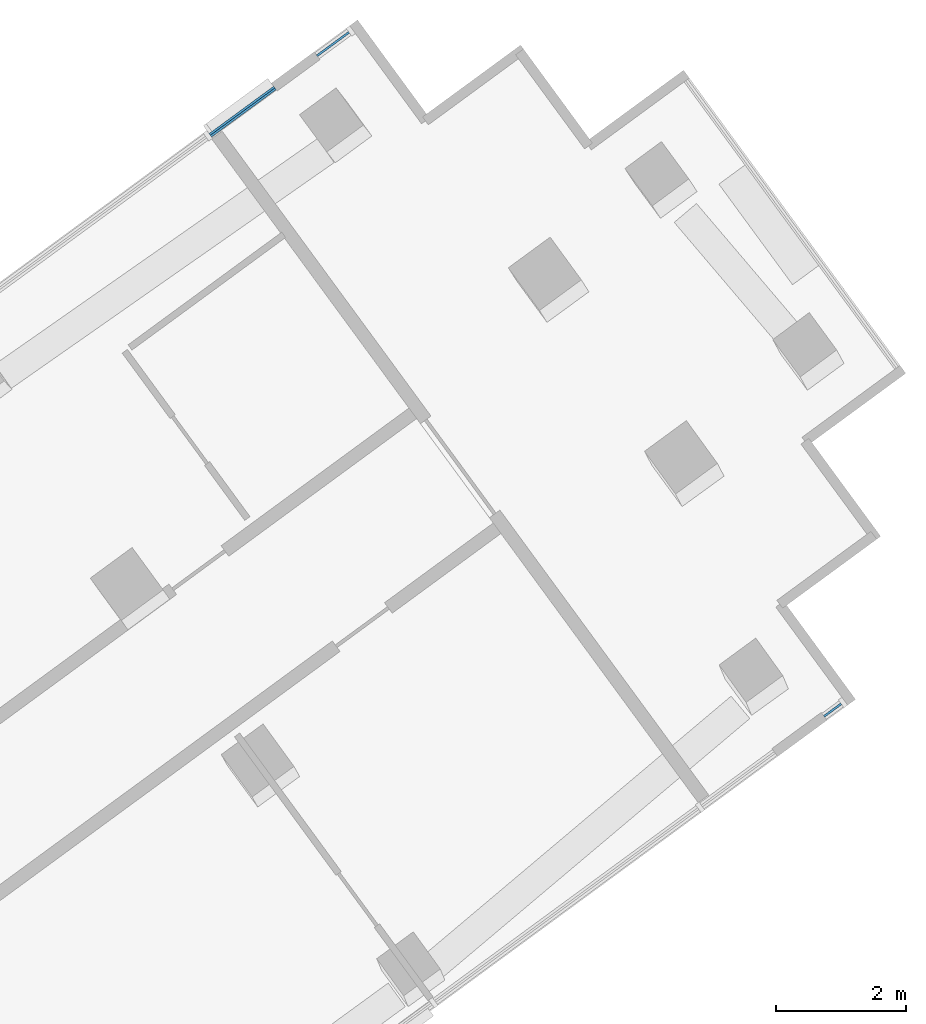
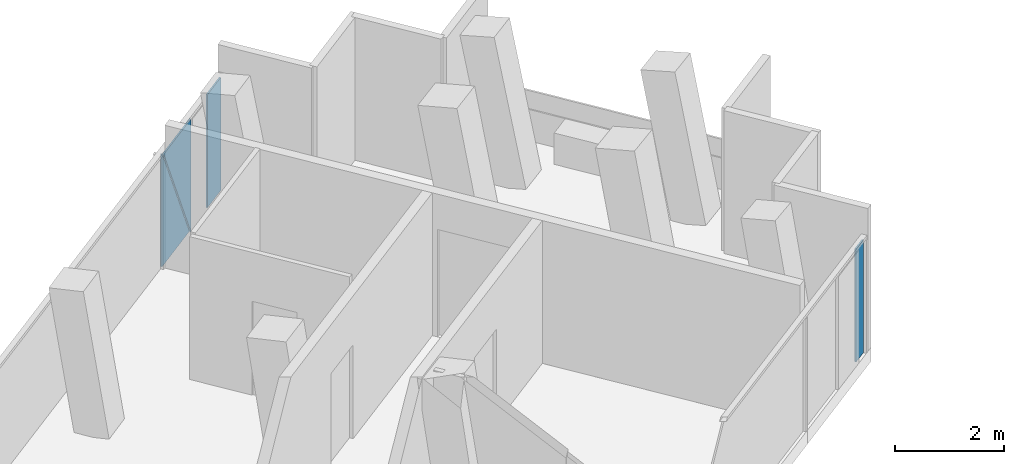
# One storey, part 15 of 24: 4 plates, 2 elements without a shape of their own.
"""IFC4 building model written with IfcOpenShell, lengths in metres."""

import ifcopenshell
import ifcopenshell.guid

model = None  # the IFC model being written
_history = None  # IfcOwnerHistory: only IFC2X3 demands one
_inside = {}  # id of a spatial element -> (the spatial element, [elements in it])
_under = {}  # id of a project, library or spatial element -> (it, [spatial elements below it])
_declared = {}  # id of a project -> (the project, [libraries it declares])
_typed = {}  # id of a type object -> (the type object, [elements of that type])
_made_of = {}  # id of a material, layer set ... -> (it, [elements and type objects made of it])


def new_model(schema):
    """Start an empty IFC model of exactly this schema.

    Asked for "IFC4X3", IfcOpenShell would pick the latest addendum, in which some entities
    have other attributes; the version numbers below select the first issue.
    IFC2X3 requires an IfcOwnerHistory on every rooted entity: one is made here for all.
    """
    global model, _history
    if schema == "IFC4X3":
        model = ifcopenshell.file(schema_version=(4, 3, 0, 0))
    else:
        model = ifcopenshell.file(schema=schema)
    _inside.clear()
    _under.clear()
    _declared.clear()
    _typed.clear()
    _made_of.clear()
    _history = None
    if model.schema == "IFC2X3":
        org = make("IfcOrganization", Name="unknown")
        user = make(
            "IfcPersonAndOrganization",
            ThePerson=make("IfcPerson", FamilyName="unknown"),
            TheOrganization=org,
        )
        app = make(
            "IfcApplication",
            ApplicationDeveloper=org,
            Version="unknown",
            ApplicationFullName="unknown",
            ApplicationIdentifier="unknown",
        )
        _history = make(
            "IfcOwnerHistory",
            OwningUser=user,
            OwningApplication=app,
            ChangeAction="ADDED",
            CreationDate=0,
        )
    return model


def make(cls, **values):
    """One entity of the class cls with the attributes given. An attribute that is None is left unset."""
    return model.create_entity(
        cls, **{name: value for name, value in values.items() if value is not None}
    )


def rooted(cls, **values):
    """An entity with a GlobalId (a new one), such as an element, a storey or a relation."""
    return make(cls, GlobalId=ifcopenshell.guid.new(), OwnerHistory=_history, **values)


def si_unit(unit_type, name, prefix=None):
    """IfcSIUnit, for example si_unit("LENGTHUNIT", "METRE", prefix="MILLI")."""
    return make("IfcSIUnit", UnitType=unit_type, Prefix=prefix, Name=name)


def assignment(units):
    """IfcUnitAssignment: the units of a project."""
    return None if units is None else make("IfcUnitAssignment", Units=units)


def point(xyz):
    """IfcCartesianPoint."""
    return None if xyz is None else make("IfcCartesianPoint", Coordinates=xyz)


def direction(xyz):
    """IfcDirection."""
    return None if xyz is None else make("IfcDirection", DirectionRatios=xyz)


def frame(location, z_axis=None, x_axis=None):
    """IfcAxis2Placement3D, a coordinate frame: its origin and axes. An axis left out is left unset."""
    return make(
        "IfcAxis2Placement3D",
        Location=point(location),
        Axis=direction(z_axis),
        RefDirection=direction(x_axis),
    )


def frame_2d(location, x_axis=None):
    """IfcAxis2Placement2D, a coordinate frame in the plane: its origin and x axis."""
    return make(
        "IfcAxis2Placement2D", Location=point(location), RefDirection=direction(x_axis)
    )


def origin():
    """The frame at (0, 0, 0) with its axes left unset."""
    return frame((0.0, 0.0, 0.0))


def origin_2d():
    """The frame at (0, 0) in the plane with its x axis left unset."""
    return frame_2d((0.0, 0.0))


def place(relative_to, where):
    """IfcLocalPlacement: puts the frame where relative to a parent placement (None: the world)."""
    return make(
        "IfcLocalPlacement", PlacementRelTo=relative_to, RelativePlacement=where
    )


def context(
    kind, dimensions, precision=None, world=None, true_north=None, identifier=None
):
    """IfcGeometricRepresentationContext, for example the 3D "Model" context."""
    return make(
        "IfcGeometricRepresentationContext",
        ContextIdentifier=identifier,
        ContextType=kind,
        CoordinateSpaceDimension=dimensions,
        Precision=precision,
        WorldCoordinateSystem=world,
        TrueNorth=true_north,
    )


def subcontext(parent, identifier, kind, view, scale=None):
    """IfcGeometricRepresentationSubContext, for example "Body" below "Model"."""
    return make(
        "IfcGeometricRepresentationSubContext",
        ContextIdentifier=identifier,
        ContextType=kind,
        ParentContext=parent,
        TargetScale=scale,
        TargetView=view,
    )


def project(units=None, contexts=None):
    """IfcProject with its units and contexts."""
    return rooted(
        "IfcProject",
        Name="project",
        RepresentationContexts=contexts,
        UnitsInContext=assignment(units),
    )


def spatial(cls, under=None, at=None, **own):
    """A site, building, storey or space (cls), placed at a placement, below another one or the project."""
    s = rooted(cls, ObjectPlacement=at, **own)
    if under is not None:
        _under.setdefault(under.id(), (under, []))[1].append(s)
    return s


def polyline(points):
    """IfcPolyline through the points."""
    return make("IfcPolyline", Points=[point(p) for p in points])


def profile(cls, at=None, kind="AREA", **sizes):
    """A parametric profile (cls). Its sizes go by their IFC names, for example OverallWidth=200.0."""
    return make(cls, ProfileType=kind, Position=at, **sizes)


def rectangle(**sizes):
    """IfcRectangleProfileDef."""
    return profile("IfcRectangleProfileDef", **sizes)


def outline(outer, holes=None, kind="AREA"):
    """IfcArbitraryClosedProfileDef: a profile drawn as a closed curve; with holes, ...WithVoids."""
    if holes is None:
        return make("IfcArbitraryClosedProfileDef", ProfileType=kind, OuterCurve=outer)
    return make(
        "IfcArbitraryProfileDefWithVoids",
        ProfileType=kind,
        OuterCurve=outer,
        InnerCurves=holes,
    )


def extrude(swept, where, along, depth):
    """IfcExtrudedAreaSolid: the profile swept, set in the frame where, extruded along a direction by depth."""
    return make(
        "IfcExtrudedAreaSolid",
        SweptArea=swept,
        Position=where,
        ExtrudedDirection=direction(along),
        Depth=depth,
    )


def shape(context_of_items, identifier, shape_type, items):
    """IfcShapeRepresentation: the items that make up one representation, for example the "Body"."""
    return make(
        "IfcShapeRepresentation",
        ContextOfItems=context_of_items,
        RepresentationIdentifier=identifier,
        RepresentationType=shape_type,
        Items=items,
    )


def material(Name=None, Category=None):
    """IfcMaterial."""
    return make("IfcMaterial", Name=Name, Category=Category)


def layer(
    of_material, thickness, ventilated=None, Name=None, Category=None, Priority=None
):
    """IfcMaterialLayer: one layer of a wall or slab, of a material (None: an air gap)."""
    return make(
        "IfcMaterialLayer",
        Material=of_material,
        LayerThickness=thickness,
        IsVentilated=ventilated,
        Name=Name,
        Category=Category,
        Priority=Priority,
    )


def layer_set(layers, Name=None):
    """IfcMaterialLayerSet."""
    return make("IfcMaterialLayerSet", MaterialLayers=layers, LayerSetName=Name)


def made_of(thing, what):
    """Note that an element or type object is made of a material, layer set ...; save() writes the relation."""
    if what is not None:
        _made_of.setdefault(what.id(), (what, []))[1].append(thing)
    return thing


def type_object(cls, material=None, **own):
    """A type object (cls), such as IfcWallType, which elements share."""
    return made_of(rooted(cls, **own), material)


def element(
    cls,
    number,
    at=None,
    inside=None,
    cuts=None,
    type_object=None,
    material=None,
    context=None,
    identifier="Body",
    shape_type=None,
    held_by="IfcProductDefinitionShape",
    body=None,
    shapes=None,
    **own,
):
    """One element of the class cls, such as IfcWall. Its Tag is "e" and its number.

    at: its placement. inside: the storey or other place that contains it. cuts: it is an
    opening in that element (IfcRelVoidsElement). A single representation is given by context,
    identifier, shape_type and body (its items); several are given by shapes. held_by: the class
    of the entity that holds the representations. save() writes the other relations.
    """
    e = rooted(cls, Tag="e%d" % number, ObjectPlacement=at, **own)
    if body is not None:
        shapes = [shape(context, identifier, shape_type, body)]
    if shapes is not None:
        e.Representation = make(held_by, Representations=shapes)
    if inside is not None:
        _inside.setdefault(inside.id(), (inside, []))[1].append(e)
    if cuts is not None:
        rooted(
            "IfcRelVoidsElement", RelatingBuildingElement=cuts, RelatedOpeningElement=e
        )
    if type_object is not None:
        _typed.setdefault(type_object.id(), (type_object, []))[1].append(e)
    return made_of(e, material)


def aggregate(whole, parts):
    """IfcRelAggregates: a whole, such as a stair, and the parts it consists of."""
    return rooted("IfcRelAggregates", RelatingObject=whole, RelatedObjects=parts)


def save(model, path):
    """Write the relations noted so far, then the file.

    IfcRelAggregates (storeys below a building ...), IfcRelContainedInSpatialStructure (elements
    in a storey), IfcRelDefinesByType, IfcRelAssociatesMaterial and IfcRelDeclares: one each for
    every whole, place, type object, material and project.
    """
    for whole, parts in _under.values():
        aggregate(whole, parts)
    for where, things in _inside.values():
        rooted(
            "IfcRelContainedInSpatialStructure",
            RelatedElements=things,
            RelatingStructure=where,
        )
    for kind, things in _typed.values():
        rooted("IfcRelDefinesByType", RelatedObjects=things, RelatingType=kind)
    for what, things in _made_of.values():
        rooted("IfcRelAssociatesMaterial", RelatedObjects=things, RelatingMaterial=what)
    for by, libraries in _declared.values():
        rooted("IfcRelDeclares", RelatingContext=by, RelatedDefinitions=libraries)
    model.write(path)


model = new_model("IFC4")

# Units and contexts
model_context = context("Model", 3, precision=1e-05, world=origin(), true_north=direction((0.0, 1.0)))
body_context = subcontext(model_context, "Body", "Model", "MODEL_VIEW")
ifc_project = project(units=[si_unit("LENGTHUNIT", "METRE"), si_unit("AREAUNIT", "SQUARE_METRE"), si_unit("VOLUMEUNIT", "CUBIC_METRE"), si_unit("PLANEANGLEUNIT", "RADIAN"), si_unit("MASSUNIT", "GRAM", prefix="KILO")], contexts=[model_context])

# Site, building, storey
site_placement = place(None, origin())
site = spatial("IfcSite", under=ifc_project, at=site_placement, CompositionType="ELEMENT")
building_placement = place(site_placement, origin())
building = spatial("IfcBuilding", under=site, at=building_placement, Name="Verdalira Terraces Hotel", CompositionType="ELEMENT")
storey_placement = place(building_placement, frame((0.0, 0.0, 303.0)))
storey = spatial("IfcBuildingStorey", under=building, at=storey_placement, Name="L75", CompositionType="ELEMENT", Elevation=303.0)

# Curtain wall, plate
ifc_material_1 = material(Name="Clear glass", Category="glass")
ifc_layer_1 = layer(ifc_material_1, 0.14990234375)
ifc_layer_set_1 = layer_set([ifc_layer_1], Name="CW2 curtain wall")
curtain_wall_type = type_object("IfcCurtainWallType", Name="CW2 curtain wall", PredefinedType="NOTDEFINED", material=ifc_layer_set_1)
curtain_wall_1_placement = place(storey_placement, origin())
curtain_wall_1 = element("IfcCurtainWall", 1, at=curtain_wall_1_placement, inside=storey, type_object=curtain_wall_type, Name="CW2 curtain wall L75 edge 28", PredefinedType="NOTDEFINED")
ifc_material_2 = material(Name="Clear glass", Category="glass")
ifc_layer_2 = layer(ifc_material_2, 0.031982421875)
ifc_layer_set_2 = layer_set([ifc_layer_2], Name="CW2 glass unit 32")
plate_type = type_object("IfcPlateType", Name="CW2 glass unit 32", PredefinedType="CURTAIN_PANEL", material=ifc_layer_set_2)
plate_1_placement = place(storey_placement, frame((35.99585, 18.41748, 0.0), z_axis=(0.0, 0.0, 1.0), x_axis=(0.806547795, 0.591168888, 0.0)))
plate_1 = element("IfcPlate", 2, at=plate_1_placement, type_object=plate_type, Name="CW2 glass unit", PredefinedType="CURTAIN_PANEL", context=body_context, shape_type="SweptSolid", body=[
    extrude(rectangle(XDim=0.32666, YDim=0.031982, at=origin_2d()), origin(), (0.0, 0.0, 1.0), 2.524902),
])
aggregate(curtain_wall_1, [plate_1])

# Curtain wall, plates
curtain_wall_2_placement = place(storey_placement, origin())
curtain_wall_2 = element("IfcCurtainWall", 3, at=curtain_wall_2_placement, inside=storey, type_object=curtain_wall_type, Name="CW2 curtain wall L75 edge 38", PredefinedType="NOTDEFINED")
plate_2_placement = place(storey_placement, frame((28.285156, 28.697998, 0.0), z_axis=(0.0, 0.0, 1.0), x_axis=(-0.806547795, -0.591168888, 0.0)))
plate_2 = element("IfcPlate", 4, at=plate_2_placement, type_object=plate_type, Name="CW2 glass unit", PredefinedType="CURTAIN_PANEL", context=body_context, shape_type="SweptSolid", body=[
    extrude(rectangle(XDim=0.610107, YDim=0.031982, at=origin_2d()), origin(), (0.0, 0.0, 1.0), 2.524902),
])
plate_3_placement = place(storey_placement, frame((26.889404, 27.655029, 1.262451), z_axis=(-0.591168888, 0.806547795, 0.0), x_axis=(-0.806547795, -0.591168888, 0.0)))
plate_3 = element("IfcPlate", 5, at=plate_3_placement, type_object=plate_type, Name="CW2 glass unit", PredefinedType="CURTAIN_PANEL", context=body_context, shape_type="SweptSolid", body=[
    extrude(outline(polyline([(-0.617676, -1.262451), (0.617676, -1.262451), (0.617676, 1.262451), (-0.617676, -1.262451)])), origin(), (0.0, 0.0, 1.0), 0.031982),
])
plate_4_placement = place(storey_placement, frame((26.908936, 27.628418, 1.262451), z_axis=(-0.591168888, 0.806547795, 0.0), x_axis=(-0.806547795, -0.591168888, 0.0)))
plate_4 = element("IfcPlate", 6, at=plate_4_placement, type_object=plate_type, Name="CW2 glass unit", PredefinedType="CURTAIN_PANEL", context=body_context, shape_type="SweptSolid", body=[
    extrude(outline(polyline([(-0.617676, -1.262451), (0.617676, 1.262451), (-0.617676, 1.262451), (-0.617676, -1.262451)])), origin(), (0.0, 0.0, 1.0), 0.031982),
])
aggregate(curtain_wall_2, [plate_2, plate_3, plate_4])

save(model, "model.ifc")
